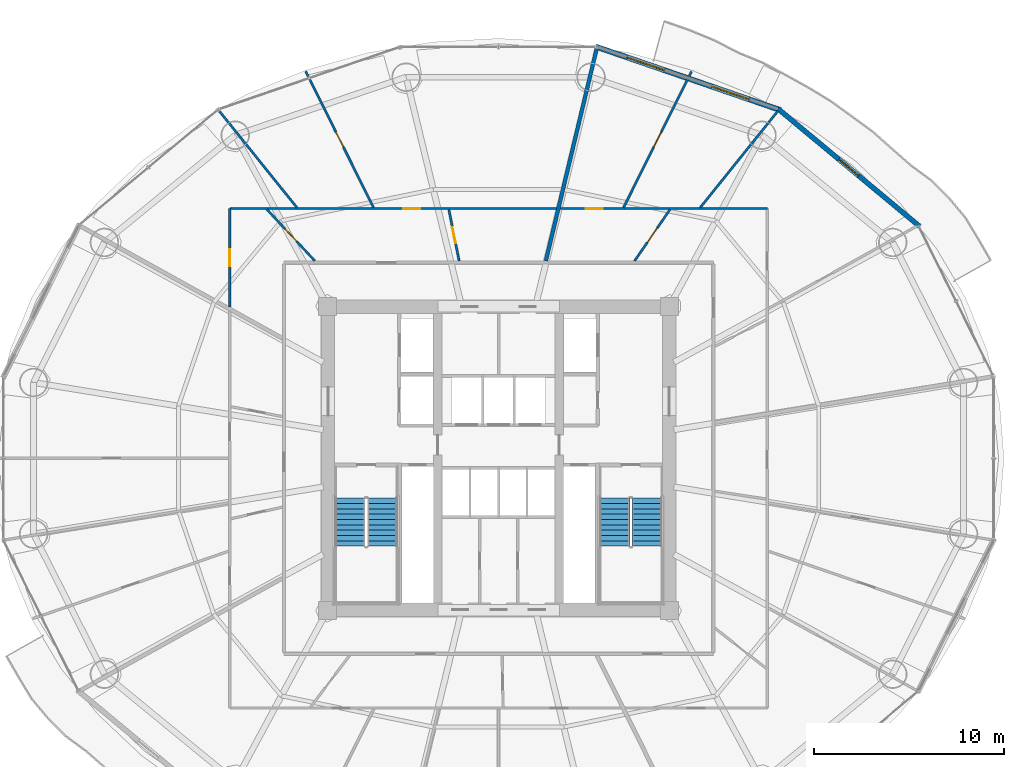
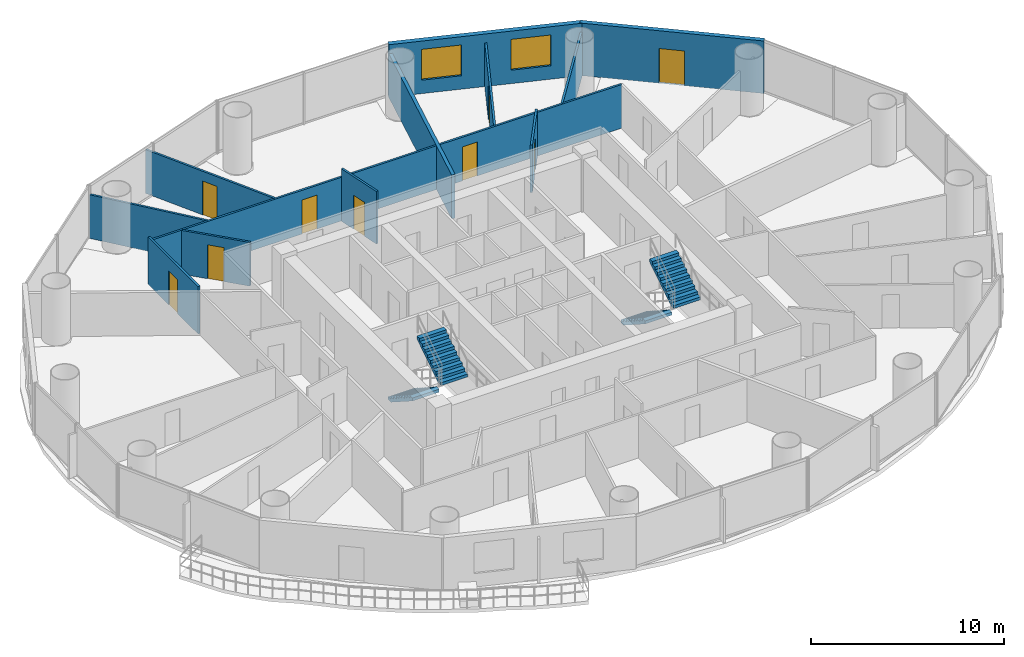
# One storey, part 24 of 28: 13 walls, 9 doors, 4 stair flights, 2 windows, 11 openings, 2 elements without a shape of their own.
"""IFC4 building model written with IfcOpenShell, lengths in metres."""

from ifc_helpers import new_model, si_unit, direction, frame, frame_2d, origin, place, context, subcontext, project, spatial, polyline, rectangle, outline, extrude, source, transform, mapped, material, layer, layer_set, type_object, element, fill, aggregate, save


model = new_model("IFC4")

# Units and contexts
model_context = context("Model", 3, precision=1e-05, world=origin(), true_north=direction((-0.2419218956, 0.970295726276)))
body_context = subcontext(model_context, "Body", "Model", "MODEL_VIEW")
ifc_project = project(units=[si_unit("LENGTHUNIT", "METRE"), si_unit("AREAUNIT", "SQUARE_METRE"), si_unit("VOLUMEUNIT", "CUBIC_METRE"), si_unit("PLANEANGLEUNIT", "RADIAN"), si_unit("MASSUNIT", "GRAM", prefix="KILO")], contexts=[model_context])

# Site, building, storey
site_placement = place(None, origin())
site = spatial("IfcSite", under=ifc_project, at=site_placement, CompositionType="ELEMENT")
building_placement = place(site_placement, origin())
building = spatial("IfcBuilding", under=site, at=building_placement, Name="Cobrevalo Terracotta Tower", CompositionType="ELEMENT")
storey_placement = place(building_placement, frame((0.0, 0.0, 101.39990234375)))
storey = spatial("IfcBuildingStorey", under=building, at=storey_placement, Name="L26", CompositionType="ELEMENT", Elevation=101.39990234375)

# Wall
ifc_material_1 = material(Name="Autoclaved aerated concrete block", Category="concrete")
ifc_layer_1 = layer(ifc_material_1, 0.199951171875)
ifc_layer_set_1 = layer_set([ifc_layer_1], Name="Autoclaved aerated concrete block")
wall_type_1 = type_object("IfcWallType", Name="Fire-rated stair, shaft & demising masonry wall 200 mm", PredefinedType="PARTITIONING", material=ifc_layer_set_1)
wall_1_placement = place(storey_placement, frame((40.486328125, 37.18505859375, 0.0), z_axis=(0.0, 0.0, 1.0), x_axis=(0.232834224261, 0.972516438942, 0.0)))
element("IfcWall", 1, at=wall_1_placement, inside=storey, type_object=wall_type_1, Name="L26 interior partition IW-L26-DEM-2", PredefinedType="PARTITIONING", context=body_context, shape_type="SweptSolid", body=[
    extrude(rectangle(XDim=11.501708984375, YDim=0.199951171875, at=frame_2d((5.7509765625, 0.0))), origin(), (0.0, 0.0, 1.0), 2.76708984375),
])

# Wall, openings, windows
ifc_layer_2 = layer(ifc_material_1, 0.280029296875)
ifc_layer_set_2 = layer_set([ifc_layer_2], Name="Autoclaved aerated concrete block")
wall_type_2 = type_object("IfcWallType", Name="Insulated tower spandrel & pier wall 280 mm with terracotta rainscreen", PredefinedType="SOLIDWALL", material=ifc_layer_set_2)
wall_2_placement = place(storey_placement, frame((52.837158203125, 45.12451171875, 0.0), z_axis=(0.0, 0.0, 1.0), x_axis=(-0.945597432299, 0.325339047809, 0.0)))
wall_2 = element("IfcWall", 2, at=wall_2_placement, inside=storey, type_object=wall_type_2, Name="L26 terracotta rainscreen pier wall S03", PredefinedType="SOLIDWALL", context=body_context, shape_type="SweptSolid", body=[
    extrude(rectangle(XDim=10.2890625, YDim=0.280029296875, at=frame_2d((5.14453125, 0.0))), origin(), (0.0, 0.0, 1.0), 3.3251953125),
])
opening_1_placement = place(wall_2_placement, frame((1.72802734375, 0.0, 0.85009765625)))
opening_1 = element("IfcOpeningElement", 3, at=opening_1_placement, cuts=wall_2, Name="Opening WN-10", PredefinedType="OPENING", context=body_context, shape_type="SweptSolid", body=[
    extrude(rectangle(XDim=2.10009765625, YDim=1.949951171875, at=frame_2d((1.050048828125, 0.97509765625))), frame((0.0, 0.14990234375, 0.0), z_axis=(0.0, -1.0, 0.0), x_axis=(1.0, 0.0, 0.0)), (0.0, 0.0, 1.0), 0.300048828125),
])
opening_2_placement = place(wall_2_placement, frame((6.4609375, 0.0, 0.85009765625)))
opening_2 = element("IfcOpeningElement", 4, at=opening_2_placement, cuts=wall_2, Name="Opening WN-10", PredefinedType="OPENING", context=body_context, shape_type="SweptSolid", body=[
    extrude(rectangle(XDim=2.10009765625, YDim=1.949951171875, at=frame_2d((1.050048828125, 0.97509765625))), frame((0.0, 0.14990234375, 0.0), z_axis=(0.0, -1.0, 0.0), x_axis=(1.0, 0.0, 0.0)), (0.0, 0.0, 1.0), 0.300048828125),
])
ifc_material_2 = material(Name="Solar-control low-E double glazing", Category="glass")
window_type = type_object("IfcWindowType", Name="Wide panoramic low-E aluminium window 2100x1950", PartitioningType="SINGLE_PANEL", PredefinedType="WINDOW", material=ifc_material_2)
shared_shape_1 = source(origin(), body_context, "Body", "SweptSolid", [
    extrude(rectangle(XDim=2.10009765625, YDim=1.949951171875, at=frame_2d((1.050048828125, 0.97509765625))), frame((0.0, 0.030029296875, 0.0), z_axis=(0.0, -1.0, 0.0), x_axis=(1.0, 0.0, 0.0)), (0.0, 0.0, 1.0), 0.06005859375),
])
window_1_placement = place(opening_1_placement, origin())
window_1 = element("IfcWindow", 5, at=window_1_placement, inside=storey, type_object=window_type, Name="L26 suite window S03A", OverallHeight=1.949951171875, OverallWidth=2.10009765625, PartitioningType="SINGLE_PANEL", PredefinedType="WINDOW", context=body_context, shape_type="MappedRepresentation", body=[
    mapped(shared_shape_1, transform((0.0, 0.0, 0.0), scale=1.0)),
])
fill(opening_1, window_1)
window_2_placement = place(opening_2_placement, origin())
window_2 = element("IfcWindow", 6, at=window_2_placement, inside=storey, type_object=window_type, Name="L26 suite window S03B", OverallHeight=1.949951171875, OverallWidth=2.10009765625, PartitioningType="SINGLE_PANEL", PredefinedType="WINDOW", context=body_context, shape_type="MappedRepresentation", body=[
    mapped(shared_shape_1, transform((0.0, 0.0, 0.0), scale=1.0)),
])
fill(opening_2, window_2)

# Wall, opening, door
ifc_layer_3 = layer(ifc_material_1, 0.260009765625)
ifc_layer_set_3 = layer_set([ifc_layer_3], Name="Autoclaved aerated concrete block")
wall_type_3 = type_object("IfcWallType", Name="Recessed balcony loggia insulated exterior wall 260 mm", PredefinedType="SOLIDWALL", material=ifc_layer_set_3)
wall_3_placement = place(storey_placement, frame((60.15380859375, 39.01025390625, 0.0), z_axis=(0.0, 0.0, 1.0), x_axis=(-0.769242574941, 0.638956853706, 0.0)))
wall_3 = element("IfcWall", 7, at=wall_3_placement, inside=storey, type_object=wall_type_3, Name="L26 balcony loggia wall S02", PredefinedType="SOLIDWALL", context=body_context, shape_type="SweptSolid", body=[
    extrude(rectangle(XDim=9.68994140625, YDim=0.260009765625, at=frame_2d((4.844970703125, 0.0))), origin(), (0.0, 0.0, 1.0), 3.3251953125),
])
opening_3_placement = place(wall_3_placement, frame((4.169921875, 0.0, 0.0)))
opening_3 = element("IfcOpeningElement", 8, at=opening_3_placement, cuts=wall_3, Name="Opening ED-05", PredefinedType="OPENING", context=body_context, shape_type="SweptSolid", body=[
    extrude(rectangle(XDim=1.35009765625, YDim=2.199951171875, at=frame_2d((0.675048828125, 1.10009765625))), frame((0.0, 0.14013671875, 0.0), z_axis=(0.0, -1.0, 0.0), x_axis=(1.0, 0.0, 0.0)), (0.0, 0.0, 1.0), 0.280029296875),
])
ifc_material_3 = material(Name="Anodized aluminium and laminated glass", Category="aluminium")
door_type_1 = type_object("IfcDoorType", Name="Suite balcony acoustic glazed terrace door 1350x2200", OperationType="NOTDEFINED", PredefinedType="DOOR", material=ifc_material_3)
shared_shape_2 = source(origin(), body_context, "Body", "SweptSolid", [
    extrude(rectangle(XDim=1.35009765625, YDim=2.199951171875, at=frame_2d((0.675048828125, 1.10009765625))), frame((0.0, 0.02490234375, 0.0), z_axis=(0.0, -1.0, 0.0), x_axis=(1.0, 0.0, 0.0)), (0.0, 0.0, 1.0), 0.050048828125),
])
door_1_placement = place(opening_3_placement, frame((1.35009765625, 0.0, 0.0), z_axis=(0.0, 0.0, 1.0), x_axis=(-1.0, 0.0, 0.0)))
door_1 = element("IfcDoor", 9, at=door_1_placement, inside=storey, type_object=door_type_1, Name="L26 glazed balcony terrace door 1", OperationType="SINGLE_SWING_LEFT", OverallHeight=2.199951171875, OverallWidth=1.35009765625, PredefinedType="DOOR", context=body_context, shape_type="MappedRepresentation", body=[
    mapped(shared_shape_2, transform((0.0, 0.0, 0.0), scale=1.0)),
])
fill(opening_3, door_1)

ifc_material_4 = material(Name="Gypsum board on steel stud", Category="steel")
ifc_layer_4 = layer(ifc_material_4, 0.1201171875)
ifc_layer_set_4 = layer_set([ifc_layer_4], Name="Gypsum board on steel stud")
wall_type_4 = type_object("IfcWallType", Name="Residential internal acoustic stud partition 120 mm", PredefinedType="PARTITIONING", material=ifc_layer_set_4)
wall_4_placement = place(storey_placement, frame((41.2490234375, 39.945068359375, 0.0), z_axis=(0.0, 0.0, 1.0), x_axis=(1.0, 0.0, 0.0)))
wall_4 = element("IfcWall", 10, at=wall_4_placement, inside=storey, type_object=wall_type_4, Name="L26 interior partition IW-L26-U1-RING0_0", PredefinedType="PARTITIONING", context=body_context, shape_type="SweptSolid", body=[
    extrude(rectangle(XDim=10.89599609375, YDim=0.1201171875, at=frame_2d((5.447998046875, 0.0))), origin(), (0.0, 0.0, 1.0), 2.76708984375),
])
opening_4_placement = place(wall_4_placement, frame((1.336181640625, 0.0, 0.0)))
opening_4 = element("IfcOpeningElement", 11, at=opening_4_placement, cuts=wall_4, Name="Opening ID-12", PredefinedType="OPENING", context=body_context, shape_type="SweptSolid", body=[
    extrude(rectangle(XDim=0.89990234375, YDim=2.14990234375, at=frame_2d((0.449951171875, 1.074951171875))), frame((0.0, 0.070068359375, 0.0), z_axis=(0.0, -1.0, 0.0), x_axis=(1.0, 0.0, 0.0)), (0.0, 0.0, 1.0), 0.14013671875),
])
ifc_material_5 = material(Name="Engineered timber", Category="wood")
door_type_2 = type_object("IfcDoorType", Name="Internal residence & suite timber door 900x2150", OperationType="NOTDEFINED", PredefinedType="DOOR", material=ifc_material_5)
shared_shape_3 = source(origin(), body_context, "Body", "SweptSolid", [
    extrude(rectangle(XDim=0.89990234375, YDim=2.14990234375, at=frame_2d((0.449951171875, 1.074951171875))), frame((0.0, 0.02490234375, 0.0), z_axis=(0.0, -1.0, 0.0), x_axis=(1.0, 0.0, 0.0)), (0.0, 0.0, 1.0), 0.050048828125),
])
door_2_placement = place(opening_4_placement, origin())
door_2 = element("IfcDoor", 12, at=door_2_placement, inside=storey, type_object=door_type_2, Name="Flat L26A Penthouse Family Lounge internal door", OperationType="SINGLE_SWING_LEFT", OverallHeight=2.14990234375, OverallWidth=0.89990234375, PredefinedType="DOOR", context=body_context, shape_type="MappedRepresentation", body=[
    mapped(shared_shape_3, transform((0.0, 0.0, 0.0), scale=1.0)),
])
fill(opening_4, door_2)

# Wall
wall_5_placement = place(storey_placement, frame((48.610595703125, 39.993408203125, 0.0), z_axis=(0.0, 0.0, 1.0), x_axis=(0.626719700294, 0.779244773651, 0.0)))
element("IfcWall", 13, at=wall_5_placement, inside=storey, type_object=wall_type_4, Name="L26 interior partition IW-L26-U1-ORAD2", PredefinedType="PARTITIONING", context=body_context, shape_type="SweptSolid", body=[
    extrude(rectangle(XDim=6.537109375, YDim=0.1201171875, at=frame_2d((3.2685546875, 0.0))), origin(), (0.0, 0.0, 1.0), 2.76708984375),
])

# Wall, opening, door
wall_6_placement = place(storey_placement, frame((44.5810546875, 40.00048828125, 0.0), z_axis=(0.0, 0.0, 1.0), x_axis=(0.446188142997, 0.894939182877, 0.0)))
wall_6 = element("IfcWall", 14, at=wall_6_placement, inside=storey, type_object=wall_type_4, Name="L26 interior partition IW-L26-U1-ORAD3M1", PredefinedType="PARTITIONING", context=body_context, shape_type="SweptSolid", body=[
    extrude(rectangle(XDim=8.001708984375, YDim=0.1201171875, at=frame_2d((4.0009765625, 0.0))), origin(), (0.0, 0.0, 1.0), 2.76708984375),
])
opening_5_placement = place(wall_6_placement, frame((3.55078125, 0.0, 0.0)))
opening_5 = element("IfcOpeningElement", 15, at=opening_5_placement, cuts=wall_6, Name="Opening ID-12", PredefinedType="OPENING", context=body_context, shape_type="SweptSolid", body=[
    extrude(rectangle(XDim=0.89990234375, YDim=2.14990234375, at=frame_2d((0.449951171875, 1.074951171875))), frame((0.0, 0.070068359375, 0.0), z_axis=(0.0, -1.0, 0.0), x_axis=(1.0, 0.0, 0.0)), (0.0, 0.0, 1.0), 0.14013671875),
])
door_3_placement = place(opening_5_placement, frame((0.89990234375, 0.0, 0.0), z_axis=(0.0, 0.0, 1.0), x_axis=(-1.0, 0.0, 0.0)))
door_3 = element("IfcDoor", 16, at=door_3_placement, inside=storey, type_object=door_type_2, Name="Flat L26A Principal Guest Bedroom internal door", OperationType="SINGLE_SWING_LEFT", OverallHeight=2.14990234375, OverallWidth=0.89990234375, PredefinedType="DOOR", context=body_context, shape_type="MappedRepresentation", body=[
    mapped(shared_shape_3, transform((0.0, 0.0, 0.0), scale=1.0)),
])
fill(opening_5, door_3)

wall_7_placement = place(storey_placement, frame((45.1552734375, 37.18505859375, 0.0), z_axis=(0.0, 0.0, 1.0), x_axis=(0.567360037454, 0.823469846382, 0.0)))
wall_7 = element("IfcWall", 17, at=wall_7_placement, inside=storey, type_object=wall_type_4, Name="L26 interior partition IW-L26-U1-IRAD2", PredefinedType="PARTITIONING", context=body_context, shape_type="SweptSolid", body=[
    extrude(rectangle(XDim=3.289794921875, YDim=0.1201171875, at=frame_2d((1.64501953125, 0.0))), origin(), (0.0, 0.0, 1.0), 3.004150390625),
])
opening_6_placement = place(wall_7_placement, frame((1.19482421875, 0.0, 0.0)))
opening_6 = element("IfcOpeningElement", 18, at=opening_6_placement, cuts=wall_7, Name="Opening ID-12", PredefinedType="OPENING", context=body_context, shape_type="SweptSolid", body=[
    extrude(rectangle(XDim=0.89990234375, YDim=2.14990234375, at=frame_2d((0.449951171875, 1.074951171875))), frame((0.0, 0.070068359375, 0.0), z_axis=(0.0, -1.0, 0.0), x_axis=(1.0, 0.0, 0.0)), (0.0, 0.0, 1.0), 0.14013671875),
])
door_4_placement = place(opening_6_placement, origin())
door_4 = element("IfcDoor", 19, at=door_4_placement, inside=storey, type_object=door_type_2, Name="Flat L26A Kitchen internal door", OperationType="SINGLE_SWING_RIGHT", OverallHeight=2.14990234375, OverallWidth=0.89990234375, PredefinedType="DOOR", context=body_context, shape_type="MappedRepresentation", body=[
    mapped(shared_shape_3, transform((0.0, 0.0, 0.0), scale=1.0)),
])
fill(opening_6, door_4)

wall_8_placement = place(storey_placement, frame((23.85498046875, 34.75439453125, 0.0), z_axis=(0.0, 0.0, 1.0), x_axis=(0.0, 1.0, 0.0)))
wall_8 = element("IfcWall", 20, at=wall_8_placement, inside=storey, type_object=wall_type_4, Name="L26 interior partition IW-L26-U2-RING0_0", PredefinedType="PARTITIONING", context=body_context, shape_type="SweptSolid", body=[
    extrude(rectangle(XDim=5.190673828125, YDim=0.1201171875, at=frame_2d((2.59521484375, 0.0))), origin(), (0.0, 0.0, 1.0), 3.004150390625),
])
opening_7_placement = place(wall_8_placement, frame((2.145263671875, 0.0, 0.0)))
opening_7 = element("IfcOpeningElement", 21, at=opening_7_placement, cuts=wall_8, Name="Opening ID-12", PredefinedType="OPENING", context=body_context, shape_type="SweptSolid", body=[
    extrude(rectangle(XDim=0.89990234375, YDim=2.14990234375, at=frame_2d((0.449951171875, 1.074951171875))), frame((0.0, 0.070068359375, 0.0), z_axis=(0.0, -1.0, 0.0), x_axis=(1.0, 0.0, 0.0)), (0.0, 0.0, 1.0), 0.14013671875),
])
door_5_placement = place(opening_7_placement, origin())
door_5 = element("IfcDoor", 22, at=door_5_placement, inside=storey, type_object=door_type_2, Name="Flat L26B Principal Guest Bedroom internal door", OperationType="SINGLE_SWING_RIGHT", OverallHeight=2.14990234375, OverallWidth=0.89990234375, PredefinedType="DOOR", context=body_context, shape_type="MappedRepresentation", body=[
    mapped(shared_shape_3, transform((0.0, 0.0, 0.0), scale=1.0)),
])
fill(opening_7, door_5)

wall_9_placement = place(storey_placement, frame((23.85498046875, 39.945068359375, 0.0), z_axis=(0.0, 0.0, 1.0), x_axis=(1.0, 0.0, 0.0)))
wall_9 = element("IfcWall", 23, at=wall_9_placement, inside=storey, type_object=wall_type_4, Name="L26 interior partition IW-L26-U2-RING1_0", PredefinedType="PARTITIONING", context=body_context, shape_type="SweptSolid", body=[
    extrude(rectangle(XDim=17.190185546875, YDim=0.1201171875, at=frame_2d((8.59521484375, 0.0))), origin(), (0.0, 0.0, 1.0), 2.76708984375),
])
opening_8_placement = place(wall_9_placement, frame((9.133056640625, 0.0, 0.0)))
opening_8 = element("IfcOpeningElement", 24, at=opening_8_placement, cuts=wall_9, Name="Opening ID-12", PredefinedType="OPENING", context=body_context, shape_type="SweptSolid", body=[
    extrude(rectangle(XDim=0.89990234375, YDim=2.14990234375, at=frame_2d((0.449951171875, 1.074951171875))), frame((0.0, 0.070068359375, 0.0), z_axis=(0.0, -1.0, 0.0), x_axis=(1.0, 0.0, 0.0)), (0.0, 0.0, 1.0), 0.14013671875),
])
door_6_placement = place(opening_8_placement, origin())
door_6 = element("IfcDoor", 25, at=door_6_placement, inside=storey, type_object=door_type_2, Name="Flat L26B Penthouse Living and Dining Room internal door", OperationType="SINGLE_SWING_LEFT", OverallHeight=2.14990234375, OverallWidth=0.89990234375, PredefinedType="DOOR", context=body_context, shape_type="MappedRepresentation", body=[
    mapped(shared_shape_3, transform((0.0, 0.0, 0.0), scale=1.0)),
])
fill(opening_8, door_6)

wall_10_placement = place(storey_placement, frame((31.4189453125, 40.00048828125, 0.0), z_axis=(0.0, 0.0, 1.0), x_axis=(-0.446188142997, 0.894939182877, 0.0)))
wall_10 = element("IfcWall", 26, at=wall_10_placement, inside=storey, type_object=wall_type_4, Name="L26 interior partition IW-L26-U2-ORAD1", PredefinedType="PARTITIONING", context=body_context, shape_type="SweptSolid", body=[
    extrude(rectangle(XDim=8.001708984375, YDim=0.1201171875, at=frame_2d((4.0009765625, 0.0))), origin(), (0.0, 0.0, 1.0), 2.76708984375),
])
opening_9_placement = place(wall_10_placement, frame((3.55078125, 0.0, 0.0)))
opening_9 = element("IfcOpeningElement", 27, at=opening_9_placement, cuts=wall_10, Name="Opening ID-12", PredefinedType="OPENING", context=body_context, shape_type="SweptSolid", body=[
    extrude(rectangle(XDim=0.89990234375, YDim=2.14990234375, at=frame_2d((0.449951171875, 1.074951171875))), frame((0.0, 0.070068359375, 0.0), z_axis=(0.0, -1.0, 0.0), x_axis=(1.0, 0.0, 0.0)), (0.0, 0.0, 1.0), 0.14013671875),
])
door_7_placement = place(opening_9_placement, origin())
door_7 = element("IfcDoor", 28, at=door_7_placement, inside=storey, type_object=door_type_2, Name="Flat L26B Master Bedroom internal door", OperationType="SINGLE_SWING_LEFT", OverallHeight=2.14990234375, OverallWidth=0.89990234375, PredefinedType="DOOR", context=body_context, shape_type="MappedRepresentation", body=[
    mapped(shared_shape_3, transform((0.0, 0.0, 0.0), scale=1.0)),
])
fill(opening_9, door_7)

# Wall
wall_11_placement = place(storey_placement, frame((27.389404296875, 39.993408203125, 0.0), z_axis=(0.0, 0.0, 1.0), x_axis=(-0.626719700294, 0.779244773651, 0.0)))
element("IfcWall", 29, at=wall_11_placement, inside=storey, type_object=wall_type_4, Name="L26 interior partition IW-L26-U2-ORAD2", PredefinedType="PARTITIONING", context=body_context, shape_type="SweptSolid", body=[
    extrude(rectangle(XDim=6.537109375, YDim=0.1201171875, at=frame_2d((3.2685546875, 0.0))), origin(), (0.0, 0.0, 1.0), 2.76708984375),
])

# Wall, opening, door
wall_12_placement = place(storey_placement, frame((35.924560546875, 37.18505859375, 0.0), z_axis=(0.0, 0.0, 1.0), x_axis=(-0.196013794811, 0.980601138202, 0.0)))
wall_12 = element("IfcWall", 30, at=wall_12_placement, inside=storey, type_object=wall_type_4, Name="L26 interior partition IW-L26-U2-IRAD1", PredefinedType="PARTITIONING", context=body_context, shape_type="SweptSolid", body=[
    extrude(rectangle(XDim=2.752685546875, YDim=0.1201171875, at=frame_2d((1.37646484375, 0.0))), origin(), (0.0, 0.0, 1.0), 3.3251953125),
])
opening_10_placement = place(wall_12_placement, frame((0.9462890625, 0.0, 0.0)))
opening_10 = element("IfcOpeningElement", 31, at=opening_10_placement, cuts=wall_12, Name="Opening ID-19", PredefinedType="OPENING", context=body_context, shape_type="SweptSolid", body=[
    extrude(rectangle(XDim=0.860107421875, YDim=2.14990234375, at=frame_2d((0.43017578125, 1.074951171875))), frame((0.0, 0.070068359375, 0.0), z_axis=(0.0, -1.0, 0.0), x_axis=(1.0, 0.0, 0.0)), (0.0, 0.0, 1.0), 0.14013671875),
])
ifc_material_6 = material(Name="Moisture-sealed timber", Category="wood")
door_type_3 = type_object("IfcDoorType", Name="Suite bathroom internal timber door 860x2150", OperationType="NOTDEFINED", PredefinedType="DOOR", material=ifc_material_6)
shared_shape_4 = source(origin(), body_context, "Body", "SweptSolid", [
    extrude(rectangle(XDim=0.860107421875, YDim=2.14990234375, at=frame_2d((0.43017578125, 1.074951171875))), frame((0.0, 0.02490234375, 0.0), z_axis=(0.0, -1.0, 0.0), x_axis=(1.0, 0.0, 0.0)), (0.0, 0.0, 1.0), 0.050048828125),
])
door_8_placement = place(opening_10_placement, frame((0.860107421875, 0.0, 0.0), z_axis=(0.0, 0.0, 1.0), x_axis=(-1.0, 0.0, 0.0)))
door_8 = element("IfcDoor", 32, at=door_8_placement, inside=storey, type_object=door_type_3, Name="Flat L26B Primary Bathroom internal door", OperationType="SINGLE_SWING_RIGHT", OverallHeight=2.14990234375, OverallWidth=0.860107421875, PredefinedType="DOOR", context=body_context, shape_type="MappedRepresentation", body=[
    mapped(shared_shape_4, transform((0.0, 0.0, 0.0), scale=1.0)),
])
fill(opening_10, door_8)

wall_13_placement = place(storey_placement, frame((28.335205078125, 37.18505859375, 0.0), z_axis=(0.0, 0.0, 1.0), x_axis=(-0.681236086606, 0.732063791145, 0.0)))
wall_13 = element("IfcWall", 33, at=wall_13_placement, inside=storey, type_object=wall_type_4, Name="L26 interior partition IW-L26-U2-IRAD2", PredefinedType="PARTITIONING", context=body_context, shape_type="SweptSolid", body=[
    extrude(rectangle(XDim=3.708251953125, YDim=0.1201171875, at=frame_2d((1.85400390625, 0.0))), origin(), (0.0, 0.0, 1.0), 2.76708984375),
])
opening_11_placement = place(wall_13_placement, frame((1.404052734375, 0.0, 0.0)))
opening_11 = element("IfcOpeningElement", 34, at=opening_11_placement, cuts=wall_13, Name="Opening ID-12", PredefinedType="OPENING", context=body_context, shape_type="SweptSolid", body=[
    extrude(rectangle(XDim=0.89990234375, YDim=2.14990234375, at=frame_2d((0.449951171875, 1.074951171875))), frame((0.0, 0.070068359375, 0.0), z_axis=(0.0, -1.0, 0.0), x_axis=(1.0, 0.0, 0.0)), (0.0, 0.0, 1.0), 0.14013671875),
])
door_9_placement = place(opening_11_placement, origin())
door_9 = element("IfcDoor", 35, at=door_9_placement, inside=storey, type_object=door_type_2, Name="Flat L26B Kitchen internal door", OperationType="SINGLE_SWING_RIGHT", OverallHeight=2.14990234375, OverallWidth=0.89990234375, PredefinedType="DOOR", context=body_context, shape_type="MappedRepresentation", body=[
    mapped(shared_shape_3, transform((0.0, 0.0, 0.0), scale=1.0)),
])
fill(opening_11, door_9)

# Stair, stair flights
ifc_material_7 = material(Name="Concrete C50", Category="concrete")
stair_type = type_object("IfcStairType", Name="Core protected escape dogleg stair 1600", PredefinedType="HALF_TURN_STAIR", material=ifc_material_7)
stair_1_placement = place(storey_placement, origin())
stair_1 = element("IfcStair", 36, at=stair_1_placement, inside=storey, type_object=stair_type, Name="L26 Protected exit stair ST-1", PredefinedType="HALF_TURN_STAIR")
stair_flight_type = type_object("IfcStairFlightType", Name="Core protected escape dogleg stair 1600 flight", PredefinedType="STRAIGHT", material=ifc_material_7)
stair_flight_1_placement = place(storey_placement, frame((30.175048828125, 24.699951171875, 0.0), z_axis=(0.0, 0.0, 1.0), x_axis=(0.0, -1.0, 0.0)))
stair_flight_1 = element("IfcStairFlight", 37, at=stair_flight_1_placement, type_object=stair_flight_type, Name="ST-1 flight 1", NumberOfRisers=10, NumberOfTreads=9, PredefinedType="STRAIGHT", RiserHeight=0.18, TreadLength=0.28, context=body_context, shape_type="SweptSolid", body=[
    extrude(outline(polyline([(0.0, 0.0), (0.0, 0.179931640625), (0.280029296875, 0.179931640625), (0.280029296875, 0.360107421875), (0.56005859375, 0.360107421875), (0.56005859375, 0.5400390625), (0.840087890625, 0.5400390625), (0.840087890625, 0.719970703125), (1.1201171875, 0.719970703125), (1.1201171875, 0.89990234375), (1.39990234375, 0.89990234375), (1.39990234375, 1.080078125), (1.679931640625, 1.080078125), (1.679931640625, 1.260009765625), (1.9599609375, 1.260009765625), (1.9599609375, 1.43994140625), (2.239990234375, 1.43994140625), (2.239990234375, 1.6201171875), (2.52001953125, 1.6201171875), (2.52001953125, 1.800048828125), (2.52001953125, 1.429931640625), (0.295654296875, 0.0), (0.0, 0.0)])), frame((0.0, 0.800048828125, 0.0), z_axis=(0.0, -1.0, 0.0), x_axis=(1.0, 0.0, 0.0)), (0.0, 0.0, 1.0), 1.60009765625),
])
stair_flight_2_placement = place(storey_placement, frame((31.89501953125, 22.179931640625, 1.800048828125), z_axis=(0.0, 0.0, 1.0), x_axis=(0.0, 1.0, 0.0)))
stair_flight_2 = element("IfcStairFlight", 38, at=stair_flight_2_placement, type_object=stair_flight_type, Name="ST-1 flight 2", NumberOfRisers=10, NumberOfTreads=9, PredefinedType="STRAIGHT", RiserHeight=0.18, TreadLength=0.28, context=body_context, shape_type="SweptSolid", body=[
    extrude(outline(polyline([(0.0, 0.0), (0.0, 0.179931640625), (0.280029296875, 0.179931640625), (0.280029296875, 0.360107421875), (0.56005859375, 0.360107421875), (0.56005859375, 0.5400390625), (0.840087890625, 0.5400390625), (0.840087890625, 0.719970703125), (1.1201171875, 0.719970703125), (1.1201171875, 0.89990234375), (1.39990234375, 0.89990234375), (1.39990234375, 1.080078125), (1.679931640625, 1.080078125), (1.679931640625, 1.260009765625), (1.9599609375, 1.260009765625), (1.9599609375, 1.43994140625), (2.239990234375, 1.43994140625), (2.239990234375, 1.6201171875), (2.52001953125, 1.6201171875), (2.52001953125, 1.800048828125), (2.52001953125, 1.429931640625), (0.295654296875, 0.0), (0.0, 0.0)])), frame((0.0, 0.800048828125, 0.0), z_axis=(0.0, -1.0, 0.0), x_axis=(1.0, 0.0, 0.0)), (0.0, 0.0, 1.0), 1.60009765625),
])
aggregate(stair_1, [stair_flight_1, stair_flight_2])

stair_2_placement = place(storey_placement, origin())
stair_2 = element("IfcStair", 39, at=stair_2_placement, inside=storey, type_object=stair_type, Name="L26 Protected exit stair ST-2", PredefinedType="HALF_TURN_STAIR")
stair_flight_3_placement = place(storey_placement, frame((44.10498046875, 24.699951171875, 0.0), z_axis=(0.0, 0.0, 1.0), x_axis=(0.0, -1.0, 0.0)))
stair_flight_3 = element("IfcStairFlight", 40, at=stair_flight_3_placement, type_object=stair_flight_type, Name="ST-2 flight 1", NumberOfRisers=10, NumberOfTreads=9, PredefinedType="STRAIGHT", RiserHeight=0.18, TreadLength=0.28, context=body_context, shape_type="SweptSolid", body=[
    extrude(outline(polyline([(0.0, 0.0), (0.0, 0.179931640625), (0.280029296875, 0.179931640625), (0.280029296875, 0.360107421875), (0.56005859375, 0.360107421875), (0.56005859375, 0.5400390625), (0.840087890625, 0.5400390625), (0.840087890625, 0.719970703125), (1.1201171875, 0.719970703125), (1.1201171875, 0.89990234375), (1.39990234375, 0.89990234375), (1.39990234375, 1.080078125), (1.679931640625, 1.080078125), (1.679931640625, 1.260009765625), (1.9599609375, 1.260009765625), (1.9599609375, 1.43994140625), (2.239990234375, 1.43994140625), (2.239990234375, 1.6201171875), (2.52001953125, 1.6201171875), (2.52001953125, 1.800048828125), (2.52001953125, 1.429931640625), (0.295654296875, 0.0), (0.0, 0.0)])), frame((0.0, 0.800048828125, 0.0), z_axis=(0.0, -1.0, 0.0), x_axis=(1.0, 0.0, 0.0)), (0.0, 0.0, 1.0), 1.60009765625),
])
stair_flight_4_placement = place(storey_placement, frame((45.824951171875, 22.179931640625, 1.800048828125), z_axis=(0.0, 0.0, 1.0), x_axis=(0.0, 1.0, 0.0)))
stair_flight_4 = element("IfcStairFlight", 41, at=stair_flight_4_placement, type_object=stair_flight_type, Name="ST-2 flight 2", NumberOfRisers=10, NumberOfTreads=9, PredefinedType="STRAIGHT", RiserHeight=0.18, TreadLength=0.28, context=body_context, shape_type="SweptSolid", body=[
    extrude(outline(polyline([(0.0, 0.0), (0.0, 0.179931640625), (0.280029296875, 0.179931640625), (0.280029296875, 0.360107421875), (0.56005859375, 0.360107421875), (0.56005859375, 0.5400390625), (0.840087890625, 0.5400390625), (0.840087890625, 0.719970703125), (1.1201171875, 0.719970703125), (1.1201171875, 0.89990234375), (1.39990234375, 0.89990234375), (1.39990234375, 1.080078125), (1.679931640625, 1.080078125), (1.679931640625, 1.260009765625), (1.9599609375, 1.260009765625), (1.9599609375, 1.43994140625), (2.239990234375, 1.43994140625), (2.239990234375, 1.6201171875), (2.52001953125, 1.6201171875), (2.52001953125, 1.800048828125), (2.52001953125, 1.429931640625), (0.295654296875, 0.0), (0.0, 0.0)])), frame((0.0, 0.800048828125, 0.0), z_axis=(0.0, -1.0, 0.0), x_axis=(1.0, 0.0, 0.0)), (0.0, 0.0, 1.0), 1.60009765625),
])
aggregate(stair_2, [stair_flight_3, stair_flight_4])

save(model, "model.ifc")
